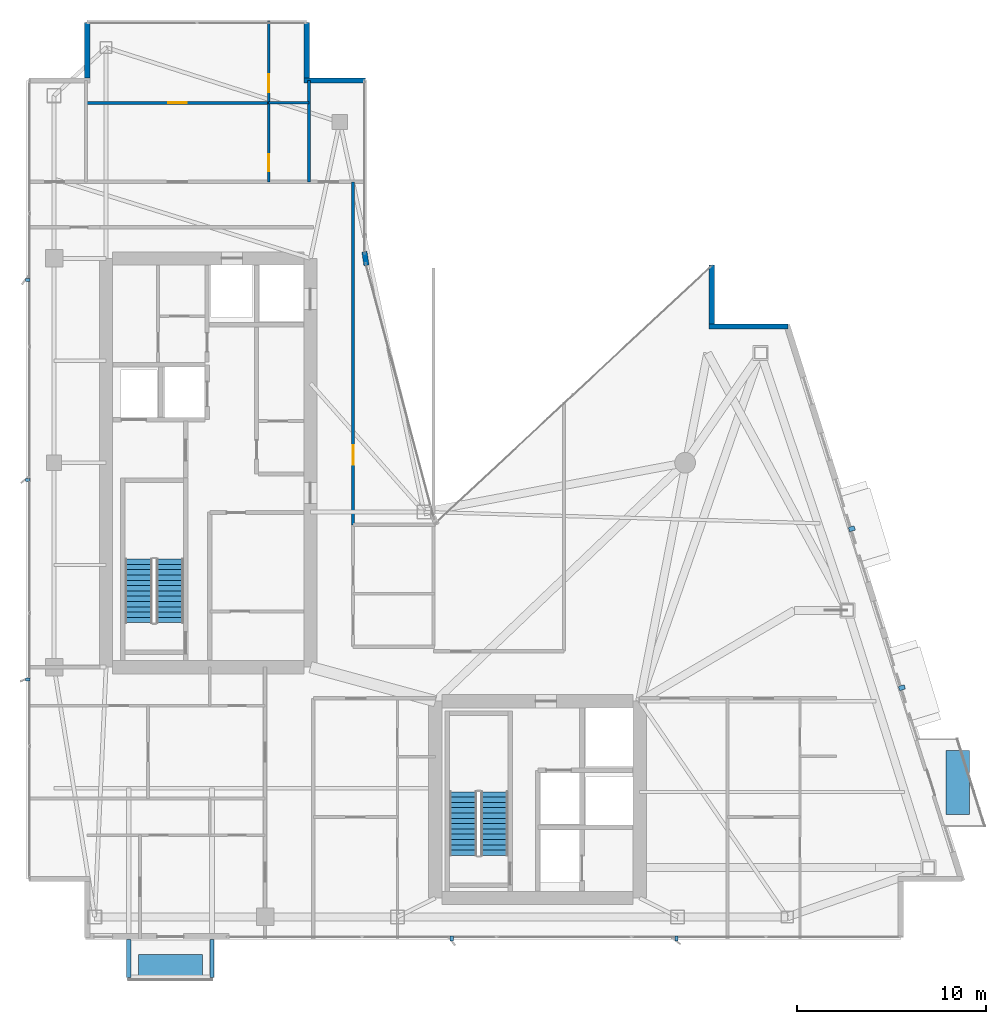
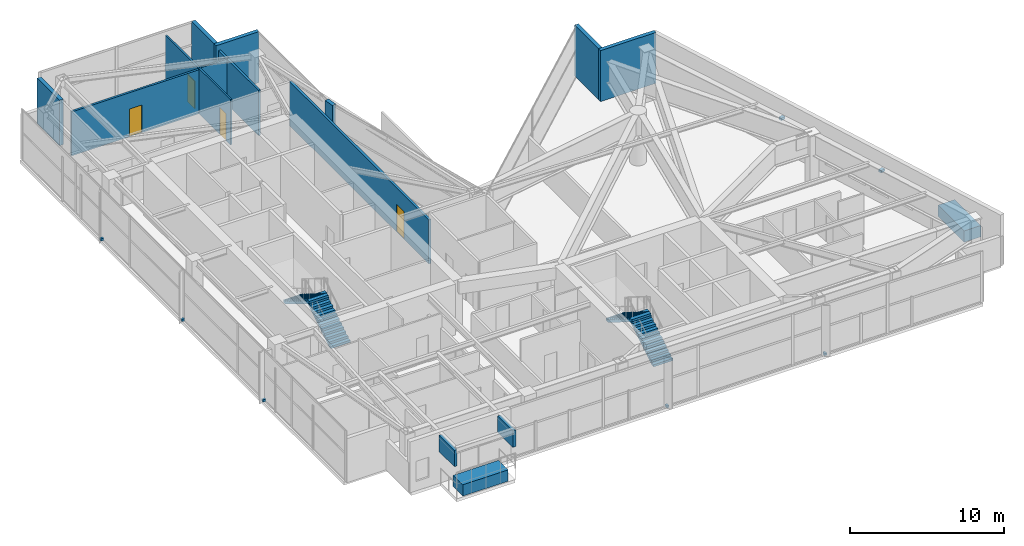
# One storey, part 25 of 27: 11 discrete accessories, 11 walls, 4 doors, 4 stair flights, 4 openings, 2 elements without a shape of their own.
"""IFC4 building model written with IfcOpenShell, lengths in metres."""

import ifcopenshell
import ifcopenshell.guid

model = None  # the IFC model being written
_history = None  # IfcOwnerHistory: only IFC2X3 demands one
_inside = {}  # id of a spatial element -> (the spatial element, [elements in it])
_under = {}  # id of a project, library or spatial element -> (it, [spatial elements below it])
_declared = {}  # id of a project -> (the project, [libraries it declares])
_typed = {}  # id of a type object -> (the type object, [elements of that type])
_made_of = {}  # id of a material, layer set ... -> (it, [elements and type objects made of it])


def new_model(schema):
    """Start an empty IFC model of exactly this schema.

    Asked for "IFC4X3", IfcOpenShell would pick the latest addendum, in which some entities
    have other attributes; the version numbers below select the first issue.
    IFC2X3 requires an IfcOwnerHistory on every rooted entity: one is made here for all.
    """
    global model, _history
    if schema == "IFC4X3":
        model = ifcopenshell.file(schema_version=(4, 3, 0, 0))
    else:
        model = ifcopenshell.file(schema=schema)
    _inside.clear()
    _under.clear()
    _declared.clear()
    _typed.clear()
    _made_of.clear()
    _history = None
    if model.schema == "IFC2X3":
        org = make("IfcOrganization", Name="unknown")
        user = make(
            "IfcPersonAndOrganization",
            ThePerson=make("IfcPerson", FamilyName="unknown"),
            TheOrganization=org,
        )
        app = make(
            "IfcApplication",
            ApplicationDeveloper=org,
            Version="unknown",
            ApplicationFullName="unknown",
            ApplicationIdentifier="unknown",
        )
        _history = make(
            "IfcOwnerHistory",
            OwningUser=user,
            OwningApplication=app,
            ChangeAction="ADDED",
            CreationDate=0,
        )
    return model


def make(cls, **values):
    """One entity of the class cls with the attributes given. An attribute that is None is left unset."""
    return model.create_entity(
        cls, **{name: value for name, value in values.items() if value is not None}
    )


def rooted(cls, **values):
    """An entity with a GlobalId (a new one), such as an element, a storey or a relation."""
    return make(cls, GlobalId=ifcopenshell.guid.new(), OwnerHistory=_history, **values)


def si_unit(unit_type, name, prefix=None):
    """IfcSIUnit, for example si_unit("LENGTHUNIT", "METRE", prefix="MILLI")."""
    return make("IfcSIUnit", UnitType=unit_type, Prefix=prefix, Name=name)


def assignment(units):
    """IfcUnitAssignment: the units of a project."""
    return None if units is None else make("IfcUnitAssignment", Units=units)


def point(xyz):
    """IfcCartesianPoint."""
    return None if xyz is None else make("IfcCartesianPoint", Coordinates=xyz)


def direction(xyz):
    """IfcDirection."""
    return None if xyz is None else make("IfcDirection", DirectionRatios=xyz)


def frame(location, z_axis=None, x_axis=None):
    """IfcAxis2Placement3D, a coordinate frame: its origin and axes. An axis left out is left unset."""
    return make(
        "IfcAxis2Placement3D",
        Location=point(location),
        Axis=direction(z_axis),
        RefDirection=direction(x_axis),
    )


def frame_2d(location, x_axis=None):
    """IfcAxis2Placement2D, a coordinate frame in the plane: its origin and x axis."""
    return make(
        "IfcAxis2Placement2D", Location=point(location), RefDirection=direction(x_axis)
    )


def origin():
    """The frame at (0, 0, 0) with its axes left unset."""
    return frame((0.0, 0.0, 0.0))


def origin_2d():
    """The frame at (0, 0) in the plane with its x axis left unset."""
    return frame_2d((0.0, 0.0))


def place(relative_to, where):
    """IfcLocalPlacement: puts the frame where relative to a parent placement (None: the world)."""
    return make(
        "IfcLocalPlacement", PlacementRelTo=relative_to, RelativePlacement=where
    )


def context(
    kind, dimensions, precision=None, world=None, true_north=None, identifier=None
):
    """IfcGeometricRepresentationContext, for example the 3D "Model" context."""
    return make(
        "IfcGeometricRepresentationContext",
        ContextIdentifier=identifier,
        ContextType=kind,
        CoordinateSpaceDimension=dimensions,
        Precision=precision,
        WorldCoordinateSystem=world,
        TrueNorth=true_north,
    )


def subcontext(parent, identifier, kind, view, scale=None):
    """IfcGeometricRepresentationSubContext, for example "Body" below "Model"."""
    return make(
        "IfcGeometricRepresentationSubContext",
        ContextIdentifier=identifier,
        ContextType=kind,
        ParentContext=parent,
        TargetScale=scale,
        TargetView=view,
    )


def project(units=None, contexts=None):
    """IfcProject with its units and contexts."""
    return rooted(
        "IfcProject",
        Name="project",
        RepresentationContexts=contexts,
        UnitsInContext=assignment(units),
    )


def spatial(cls, under=None, at=None, **own):
    """A site, building, storey or space (cls), placed at a placement, below another one or the project."""
    s = rooted(cls, ObjectPlacement=at, **own)
    if under is not None:
        _under.setdefault(under.id(), (under, []))[1].append(s)
    return s


def polyline(points):
    """IfcPolyline through the points."""
    return make("IfcPolyline", Points=[point(p) for p in points])


def profile(cls, at=None, kind="AREA", **sizes):
    """A parametric profile (cls). Its sizes go by their IFC names, for example OverallWidth=200.0."""
    return make(cls, ProfileType=kind, Position=at, **sizes)


def rectangle(**sizes):
    """IfcRectangleProfileDef."""
    return profile("IfcRectangleProfileDef", **sizes)


def outline(outer, holes=None, kind="AREA"):
    """IfcArbitraryClosedProfileDef: a profile drawn as a closed curve; with holes, ...WithVoids."""
    if holes is None:
        return make("IfcArbitraryClosedProfileDef", ProfileType=kind, OuterCurve=outer)
    return make(
        "IfcArbitraryProfileDefWithVoids",
        ProfileType=kind,
        OuterCurve=outer,
        InnerCurves=holes,
    )


def extrude(swept, where, along, depth):
    """IfcExtrudedAreaSolid: the profile swept, set in the frame where, extruded along a direction by depth."""
    return make(
        "IfcExtrudedAreaSolid",
        SweptArea=swept,
        Position=where,
        ExtrudedDirection=direction(along),
        Depth=depth,
    )


def shape(context_of_items, identifier, shape_type, items):
    """IfcShapeRepresentation: the items that make up one representation, for example the "Body"."""
    return make(
        "IfcShapeRepresentation",
        ContextOfItems=context_of_items,
        RepresentationIdentifier=identifier,
        RepresentationType=shape_type,
        Items=items,
    )


def material(Name=None, Category=None):
    """IfcMaterial."""
    return make("IfcMaterial", Name=Name, Category=Category)


def layer(
    of_material, thickness, ventilated=None, Name=None, Category=None, Priority=None
):
    """IfcMaterialLayer: one layer of a wall or slab, of a material (None: an air gap)."""
    return make(
        "IfcMaterialLayer",
        Material=of_material,
        LayerThickness=thickness,
        IsVentilated=ventilated,
        Name=Name,
        Category=Category,
        Priority=Priority,
    )


def layer_set(layers, Name=None):
    """IfcMaterialLayerSet."""
    return make("IfcMaterialLayerSet", MaterialLayers=layers, LayerSetName=Name)


def made_of(thing, what):
    """Note that an element or type object is made of a material, layer set ...; save() writes the relation."""
    if what is not None:
        _made_of.setdefault(what.id(), (what, []))[1].append(thing)
    return thing


def type_object(cls, material=None, **own):
    """A type object (cls), such as IfcWallType, which elements share."""
    return made_of(rooted(cls, **own), material)


def element(
    cls,
    number,
    at=None,
    inside=None,
    cuts=None,
    type_object=None,
    material=None,
    context=None,
    identifier="Body",
    shape_type=None,
    held_by="IfcProductDefinitionShape",
    body=None,
    shapes=None,
    **own,
):
    """One element of the class cls, such as IfcWall. Its Tag is "e" and its number.

    at: its placement. inside: the storey or other place that contains it. cuts: it is an
    opening in that element (IfcRelVoidsElement). A single representation is given by context,
    identifier, shape_type and body (its items); several are given by shapes. held_by: the class
    of the entity that holds the representations. save() writes the other relations.
    """
    e = rooted(cls, Tag="e%d" % number, ObjectPlacement=at, **own)
    if body is not None:
        shapes = [shape(context, identifier, shape_type, body)]
    if shapes is not None:
        e.Representation = make(held_by, Representations=shapes)
    if inside is not None:
        _inside.setdefault(inside.id(), (inside, []))[1].append(e)
    if cuts is not None:
        rooted(
            "IfcRelVoidsElement", RelatingBuildingElement=cuts, RelatedOpeningElement=e
        )
    if type_object is not None:
        _typed.setdefault(type_object.id(), (type_object, []))[1].append(e)
    return made_of(e, material)


def fill(opening, filler):
    """IfcRelFillsElement: the door or window that sits in an opening."""
    return rooted(
        "IfcRelFillsElement",
        RelatingOpeningElement=opening,
        RelatedBuildingElement=filler,
    )


def aggregate(whole, parts):
    """IfcRelAggregates: a whole, such as a stair, and the parts it consists of."""
    return rooted("IfcRelAggregates", RelatingObject=whole, RelatedObjects=parts)


def save(model, path):
    """Write the relations noted so far, then the file.

    IfcRelAggregates (storeys below a building ...), IfcRelContainedInSpatialStructure (elements
    in a storey), IfcRelDefinesByType, IfcRelAssociatesMaterial and IfcRelDeclares: one each for
    every whole, place, type object, material and project.
    """
    for whole, parts in _under.values():
        aggregate(whole, parts)
    for where, things in _inside.values():
        rooted(
            "IfcRelContainedInSpatialStructure",
            RelatedElements=things,
            RelatingStructure=where,
        )
    for kind, things in _typed.values():
        rooted("IfcRelDefinesByType", RelatedObjects=things, RelatingType=kind)
    for what, things in _made_of.values():
        rooted("IfcRelAssociatesMaterial", RelatedObjects=things, RelatingMaterial=what)
    for by, libraries in _declared.values():
        rooted("IfcRelDeclares", RelatingContext=by, RelatedDefinitions=libraries)
    model.write(path)


model = new_model("IFC4")

# Units and contexts
model_context = context("Model", 3, precision=1e-05, world=origin(), true_north=direction((0.0, 1.0)))
body_context = subcontext(model_context, "Body", "Model", "MODEL_VIEW")
ifc_project = project(units=[si_unit("LENGTHUNIT", "METRE"), si_unit("AREAUNIT", "SQUARE_METRE"), si_unit("VOLUMEUNIT", "CUBIC_METRE"), si_unit("PLANEANGLEUNIT", "RADIAN"), si_unit("MASSUNIT", "GRAM", prefix="KILO")], contexts=[model_context])

# Site, building, storey
site_placement = place(None, origin())
site = spatial("IfcSite", under=ifc_project, at=site_placement, CompositionType="ELEMENT")
building_placement = place(site_placement, origin())
building = spatial("IfcBuilding", under=site, at=building_placement, Name="Calvorn Quay Hotel", CompositionType="ELEMENT")
storey_placement = place(building_placement, frame((0.0, 0.0, 239.300048828125)))
storey = spatial("IfcBuildingStorey", under=building, at=storey_placement, Name="L59", CompositionType="ELEMENT", Elevation=239.300048828125)

# Wall, opening, door
ifc_material_1 = material(Name="Acoustic Fireboard Steel-Stud Partition", Category="steel")
ifc_layer_1 = layer(ifc_material_1, 0.179931640625)
ifc_layer_set_1 = layer_set([ifc_layer_1], Name="WL-CORR-FIRE-180")
wall_type_1 = type_object("IfcWallType", Name="WL-CORR-FIRE-180", PredefinedType="PARTITIONING", material=ifc_layer_set_1)
wall_1_placement = place(storey_placement, frame((17.25, 24.300048828125, 0.0), z_axis=(0.0, 0.0, 1.0), x_axis=(0.0, 1.0, 0.0)))
wall_1 = element("IfcWall", 1, at=wall_1_placement, inside=storey, type_object=wall_type_1, Name="Partition Wall L59-WL-NW-CLOSURE-E", PredefinedType="PARTITIONING", context=body_context, shape_type="SweptSolid", body=[
    extrude(rectangle(XDim=18.14990234375, YDim=0.179931640625, at=frame_2d((9.074951171875, 0.0))), origin(), (0.0, 0.0, 1.0), 3.5),
])
opening_1_placement = place(wall_1_placement, frame((3.199951171875, 0.0, 0.0)))
opening_1 = element("IfcOpeningElement", 2, at=opening_1_placement, cuts=wall_1, Name="Opening D-L59-NCU", PredefinedType="OPENING", context=body_context, shape_type="SweptSolid", body=[
    extrude(rectangle(XDim=1.02001953125, YDim=2.199951171875, at=frame_2d((0.510009765625, 1.10009765625))), frame((0.0, 0.099853515625, 0.0), z_axis=(0.0, -1.0, 0.0), x_axis=(1.0, 0.0, 0.0)), (0.0, 0.0, 1.0), 0.199951171875),
])
ifc_material_2 = material(Name="Solid-Core Walnut Veneer Hotel Fire Door")
door_type_1 = type_object("IfcDoorType", Name="DR-GUEST-ENTRY-1020", OperationType="NOTDEFINED", PredefinedType="DOOR", material=ifc_material_2)
door_1_placement = place(opening_1_placement, origin())
door_1 = element("IfcDoor", 3, at=door_1_placement, inside=storey, type_object=door_type_1, Name="Inner Court Horizon Study Door (L59)", OperationType="SINGLE_SWING_RIGHT", OverallHeight=2.199951171875, OverallWidth=1.02001953125, PredefinedType="DOOR", context=body_context, shape_type="SweptSolid", body=[
    extrude(rectangle(XDim=1.02001953125, YDim=2.199951171875, at=frame_2d((0.510009765625, 1.10009765625))), frame((0.0, 0.02490234375, 0.0), z_axis=(0.0, -1.0, 0.0), x_axis=(1.0, 0.0, 0.0)), (0.0, 0.0, 1.0), 0.050048828125),
])
fill(opening_1, door_1)

# Wall
ifc_material_3 = material(Name="Moisture-Resistant Tile-Backed Partition")
ifc_layer_2 = layer(ifc_material_3, 0.125)
ifc_layer_set_2 = layer_set([ifc_layer_2], Name="WL-ENSUITE-125")
wall_type_2 = type_object("IfcWallType", Name="WL-ENSUITE-125", PredefinedType="PARTITIONING", material=ifc_layer_set_2)
wall_2_placement = place(storey_placement, frame((12.7900390625, 46.6201171875, 0.0), z_axis=(0.0, 0.0, 1.0), x_axis=(1.0, 0.0, 0.0)))
element("IfcWall", 4, at=wall_2_placement, inside=storey, type_object=wall_type_2, Name="Partition Wall L59-WL-U04-BDV", PredefinedType="PARTITIONING", context=body_context, shape_type="SweptSolid", body=[
    extrude(rectangle(XDim=2.1298828125, YDim=0.125, at=frame_2d((1.06494140625, 0.0))), origin(), (0.0, 0.0, 1.0), 3.599853515625),
])

# Wall, openings, doors
wall_3_placement = place(storey_placement, frame((12.7900390625, 42.449951171875, 0.0), z_axis=(0.0, 0.0, 1.0), x_axis=(0.0, 1.0, 0.0)))
wall_3 = element("IfcWall", 5, at=wall_3_placement, inside=storey, type_object=wall_type_2, Name="Partition Wall L59-WL-U04-BV", PredefinedType="PARTITIONING", context=body_context, shape_type="SweptSolid", body=[
    extrude(rectangle(XDim=8.489990234375, YDim=0.125, at=frame_2d((4.2451171875, 0.0))), origin(), (0.0, 0.0, 1.0), 3.599853515625),
])
opening_2_placement = place(wall_3_placement, frame((0.550048828125, 0.0, 0.0)))
opening_2 = element("IfcOpeningElement", 6, at=opening_2_placement, cuts=wall_3, Name="Opening D-L59-E04", PredefinedType="OPENING", context=body_context, shape_type="SweptSolid", body=[
    extrude(rectangle(XDim=0.89990234375, YDim=2.14990234375, at=frame_2d((0.449951171875, 1.074951171875))), frame((0.0, 0.072509765625, 0.0), z_axis=(0.0, -1.0, 0.0), x_axis=(1.0, 0.0, 0.0)), (0.0, 0.0, 1.0), 0.14501953125),
])
opening_3_placement = place(wall_3_placement, frame((4.719970703125, 0.0, 0.0)))
opening_3 = element("IfcOpeningElement", 7, at=opening_3_placement, cuts=wall_3, Name="Opening D-L59-S04", PredefinedType="OPENING", context=body_context, shape_type="SweptSolid", body=[
    extrude(rectangle(XDim=0.9599609375, YDim=2.199951171875, at=frame_2d((0.47998046875, 1.10009765625))), frame((0.0, 0.072509765625, 0.0), z_axis=(0.0, -1.0, 0.0), x_axis=(1.0, 0.0, 0.0)), (0.0, 0.0, 1.0), 0.14501953125),
])
ifc_material_4 = material(Name="Moisture-Sealed Timber En-Suite Door", Category="wood")
door_type_2 = type_object("IfcDoorType", Name="DR-ENSUITE-900", OperationType="NOTDEFINED", PredefinedType="DOOR", material=ifc_material_4)
door_2_placement = place(opening_2_placement, origin())
door_2 = element("IfcDoor", 8, at=door_2_placement, inside=storey, type_object=door_type_2, Name="En-Suite Door 04", OperationType="SINGLE_SWING_LEFT", OverallHeight=2.14990234375, OverallWidth=0.89990234375, PredefinedType="DOOR", context=body_context, shape_type="SweptSolid", body=[
    extrude(rectangle(XDim=0.89990234375, YDim=2.14990234375, at=frame_2d((0.449951171875, 1.074951171875))), frame((0.0, 0.02490234375, 0.0), z_axis=(0.0, -1.0, 0.0), x_axis=(1.0, 0.0, 0.0)), (0.0, 0.0, 1.0), 0.050048828125),
])
fill(opening_2, door_2)
ifc_material_5 = material(Name="Solid Timber Internal Suite Door", Category="wood")
door_type_3 = type_object("IfcDoorType", Name="DR-SUITE-INT-960", OperationType="NOTDEFINED", PredefinedType="DOOR", material=ifc_material_5)
door_3_placement = place(opening_3_placement, origin())
door_3 = element("IfcDoor", 9, at=door_3_placement, inside=storey, type_object=door_type_3, Name="Botanical Winter Garden Door 04", OperationType="SINGLE_SWING_RIGHT", OverallHeight=2.199951171875, OverallWidth=0.9599609375, PredefinedType="DOOR", context=body_context, shape_type="SweptSolid", body=[
    extrude(rectangle(XDim=0.9599609375, YDim=2.199951171875, at=frame_2d((0.47998046875, 1.10009765625))), frame((0.0, 0.02490234375, 0.0), z_axis=(0.0, -1.0, 0.0), x_axis=(1.0, 0.0, 0.0)), (0.0, 0.0, 1.0), 0.050048828125),
])
fill(opening_3, door_3)

# Walls
ifc_material_6 = material(Name="Concrete C40", Category="concrete")
ifc_layer_3 = layer(ifc_material_6, 0.320068359375)
ifc_layer_set_3 = layer_set([ifc_layer_3], Name="WL-EXT-SPANDREL-320")
wall_type_3 = type_object("IfcWallType", Name="WL-EXT-SPANDREL-320", PredefinedType="SOLIDWALL", material=ifc_layer_set_3)
wall_4_placement = place(storey_placement, frame((17.9619140625, 38.030029296875, 0.0), z_axis=(0.0, 0.0, 1.0), x_axis=(-0.15141125477, 0.988470855377, 0.0)))
element("IfcWall", 10, at=wall_4_placement, inside=storey, type_object=wall_type_3, Name="Inner Court Corner Pier L59-ICJ2", PredefinedType="SOLIDWALL", context=body_context, shape_type="SweptSolid", body=[
    extrude(rectangle(XDim=0.738525390625, YDim=0.280029296875, at=frame_2d((0.369140625, 0.0))), origin(), (0.0, 0.0, 1.0), 4.050048828125),
])
wall_5_placement = place(storey_placement, frame((40.239990234375, 34.800048828125, 0.0), z_axis=(0.0, 0.0, 1.0), x_axis=(-1.0, 0.0, 0.0)))
element("IfcWall", 11, at=wall_5_placement, inside=storey, type_object=wall_type_3, Name="Notched Corner Spandrel L59-NE1", PredefinedType="SOLIDWALL", context=body_context, shape_type="SweptSolid", body=[
    extrude(rectangle(XDim=4.179931640625, YDim=0.280029296875, at=frame_2d((2.08984375, 0.0))), origin(), (0.0, 0.0, 1.0), 4.050048828125),
])
wall_6_placement = place(storey_placement, frame((36.199951171875, 34.93994140625, 0.0), z_axis=(0.0, 0.0, 1.0), x_axis=(0.0, 1.0, 0.0)))
element("IfcWall", 12, at=wall_6_placement, inside=storey, type_object=wall_type_3, Name="Notched Corner Spandrel L59-NE2", PredefinedType="SOLIDWALL", context=body_context, shape_type="SweptSolid", body=[
    extrude(rectangle(XDim=3.10009765625, YDim=0.280029296875, at=frame_2d((1.550048828125, 0.0))), origin(), (0.0, 0.0, 1.0), 4.050048828125),
])
wall_7_placement = place(storey_placement, frame((17.89990234375, 47.800048828125, 0.0), z_axis=(0.0, 0.0, 1.0), x_axis=(-1.0, 0.0, 0.0)))
element("IfcWall", 13, at=wall_7_placement, inside=storey, type_object=wall_type_3, Name="Notched Corner Spandrel L59-NWE1", PredefinedType="SOLIDWALL", context=body_context, shape_type="SweptSolid", body=[
    extrude(rectangle(XDim=3.239990234375, YDim=0.280029296875, at=frame_2d((1.6201171875, 0.0))), origin(), (0.0, 0.0, 1.0), 4.050048828125),
])
wall_8_placement = place(storey_placement, frame((14.800048828125, 47.93994140625, 0.0), z_axis=(0.0, 0.0, 1.0), x_axis=(0.0, 1.0, 0.0)))
element("IfcWall", 14, at=wall_8_placement, inside=storey, type_object=wall_type_3, Name="Notched Corner Spandrel L59-NWE2", PredefinedType="SOLIDWALL", context=body_context, shape_type="SweptSolid", body=[
    extrude(rectangle(XDim=2.93994140625, YDim=0.280029296875, at=frame_2d((1.469970703125, 0.0))), origin(), (0.0, 0.0, 1.0), 4.050048828125),
])
wall_9_placement = place(storey_placement, frame((3.199951171875, 50.8798828125, 0.0), z_axis=(0.0, 0.0, 1.0), x_axis=(0.0, -1.0, 0.0)))
element("IfcWall", 15, at=wall_9_placement, inside=storey, type_object=wall_type_3, Name="Notched Corner Spandrel L59-NW1", PredefinedType="SOLIDWALL", context=body_context, shape_type="SweptSolid", body=[
    extrude(rectangle(XDim=2.93994140625, YDim=0.280029296875, at=frame_2d((1.469970703125, 0.0))), origin(), (0.0, 0.0, 1.0), 3.599853515625),
])
ifc_material_7 = material(Name="Double-Stud Acoustic Gypsum Partition")
ifc_layer_4 = layer(ifc_material_7, 0.159912109375)
ifc_layer_set_4 = layer_set([ifc_layer_4], Name="WL-INTERSUITE-160")
wall_type_4 = type_object("IfcWallType", Name="WL-INTERSUITE-160", PredefinedType="PARTITIONING", material=ifc_layer_set_4)
wall_10_placement = place(storey_placement, frame((14.919921875, 42.449951171875, 0.0), z_axis=(0.0, 0.0, 1.0), x_axis=(0.0, 1.0, 0.0)))
element("IfcWall", 16, at=wall_10_placement, inside=storey, type_object=wall_type_4, Name="Partition Wall L59-WL-NW-DIV-E0", PredefinedType="PARTITIONING", context=body_context, shape_type="SweptSolid", body=[
    extrude(rectangle(XDim=5.35009765625, YDim=0.159912109375, at=frame_2d((2.675048828125, 0.0))), origin(), (0.0, 0.0, 1.0), 3.599853515625),
])

# Wall, opening, door
wall_11_placement = place(storey_placement, frame((3.14990234375, 46.6201171875, 0.0), z_axis=(0.0, 0.0, 1.0), x_axis=(1.0, 0.0, 0.0)))
wall_11 = element("IfcWall", 17, at=wall_11_placement, inside=storey, type_object=wall_type_4, Name="Partition Wall L59-WL-U04-MSP", PredefinedType="PARTITIONING", context=body_context, shape_type="SweptSolid", body=[
    extrude(rectangle(XDim=9.64013671875, YDim=0.159912109375, at=frame_2d((4.820068359375, 0.0))), origin(), (0.0, 0.0, 1.0), 3.5),
])
opening_4_placement = place(wall_11_placement, frame((4.340087890625, 0.0, 0.0)))
opening_4 = element("IfcOpeningElement", 18, at=opening_4_placement, cuts=wall_11, Name="Opening D-L59-M04", PredefinedType="OPENING", context=body_context, shape_type="SweptSolid", body=[
    extrude(rectangle(XDim=0.9599609375, YDim=2.199951171875, at=frame_2d((0.47998046875, 1.10009765625))), frame((0.0, 0.08984375, 0.0), z_axis=(0.0, -1.0, 0.0), x_axis=(1.0, 0.0, 0.0)), (0.0, 0.0, 1.0), 0.179931640625),
])
door_4_placement = place(opening_4_placement, origin())
door_4 = element("IfcDoor", 19, at=door_4_placement, inside=storey, type_object=door_type_3, Name="Suite Bedroom Door 04", OperationType="SINGLE_SWING_LEFT", OverallHeight=2.199951171875, OverallWidth=0.9599609375, PredefinedType="DOOR", context=body_context, shape_type="SweptSolid", body=[
    extrude(rectangle(XDim=0.9599609375, YDim=2.199951171875, at=frame_2d((0.47998046875, 1.10009765625))), frame((0.0, 0.02490234375, 0.0), z_axis=(0.0, -1.0, 0.0), x_axis=(1.0, 0.0, 0.0)), (0.0, 0.0, 1.0), 0.050048828125),
])
fill(opening_4, door_4)

# Stair, stair flights
ifc_material_8 = material(Name="Concrete C40", Category="concrete")
stair_type = type_object("IfcStairType", Name="STR-CORE-DOGLEG", PredefinedType="HALF_TURN_STAIR", material=ifc_material_8)
stair_1_placement = place(storey_placement, origin())
stair_1 = element("IfcStair", 20, at=stair_1_placement, inside=storey, type_object=stair_type, Name="L59 ST-W", PredefinedType="HALF_TURN_STAIR")
ifc_material_9 = material(Name="Concrete C40", Category="concrete")
stair_flight_type = type_object("IfcStairFlightType", Name="FLT-CORE-1550", PredefinedType="STRAIGHT", material=ifc_material_9)
stair_flight_1_placement = place(storey_placement, frame((7.574951171875, 19.14990234375, 0.0), z_axis=(0.0, 0.0, 1.0), x_axis=(0.0, 1.0, 0.0)))
stair_flight_1 = element("IfcStairFlight", 21, at=stair_flight_1_placement, type_object=stair_flight_type, Name="ST-W flight 1", NumberOfRisers=13, NumberOfTreads=12, PredefinedType="STRAIGHT", RiserHeight=0.173076923, TreadLength=0.28, context=body_context, shape_type="SweptSolid", body=[
    extrude(outline(polyline([(0.0, 0.0), (0.0, 0.173095703125), (0.280029296875, 0.173095703125), (0.280029296875, 0.34619140625), (0.56005859375, 0.34619140625), (0.56005859375, 0.519287109375), (0.840087890625, 0.519287109375), (0.840087890625, 0.6923828125), (1.1201171875, 0.6923828125), (1.1201171875, 0.865478515625), (1.39990234375, 0.865478515625), (1.39990234375, 1.03857421875), (1.679931640625, 1.03857421875), (1.679931640625, 1.21142578125), (1.9599609375, 1.21142578125), (1.9599609375, 1.384521484375), (2.239990234375, 1.384521484375), (2.239990234375, 1.5576171875), (2.52001953125, 1.5576171875), (2.52001953125, 1.730712890625), (2.800048828125, 1.730712890625), (2.800048828125, 1.90380859375), (3.080078125, 1.90380859375), (3.080078125, 2.076904296875), (3.360107421875, 2.076904296875), (3.360107421875, 2.25), (3.360107421875, 1.900634765625), (0.28515625, 0.0), (0.0, 0.0)])), frame((0.0, 0.72509765625, 0.0), z_axis=(0.0, -1.0, 0.0), x_axis=(1.0, 0.0, 0.0)), (0.0, 0.0, 1.0), 1.449951171875),
])
stair_flight_2_placement = place(storey_placement, frame((5.925048828125, 22.510009765625, 2.25), z_axis=(0.0, 0.0, 1.0), x_axis=(0.0, -1.0, 0.0)))
stair_flight_2 = element("IfcStairFlight", 22, at=stair_flight_2_placement, type_object=stair_flight_type, Name="ST-W flight 2", NumberOfRisers=13, NumberOfTreads=12, PredefinedType="STRAIGHT", RiserHeight=0.173076923, TreadLength=0.28, context=body_context, shape_type="SweptSolid", body=[
    extrude(outline(polyline([(0.0, 0.0), (0.0, 0.173095703125), (0.280029296875, 0.173095703125), (0.280029296875, 0.34619140625), (0.56005859375, 0.34619140625), (0.56005859375, 0.519287109375), (0.840087890625, 0.519287109375), (0.840087890625, 0.6923828125), (1.1201171875, 0.6923828125), (1.1201171875, 0.865478515625), (1.39990234375, 0.865478515625), (1.39990234375, 1.03857421875), (1.679931640625, 1.03857421875), (1.679931640625, 1.21142578125), (1.9599609375, 1.21142578125), (1.9599609375, 1.384521484375), (2.239990234375, 1.384521484375), (2.239990234375, 1.5576171875), (2.52001953125, 1.5576171875), (2.52001953125, 1.730712890625), (2.800048828125, 1.730712890625), (2.800048828125, 1.90380859375), (3.080078125, 1.90380859375), (3.080078125, 2.076904296875), (3.360107421875, 2.076904296875), (3.360107421875, 2.25), (3.360107421875, 1.900634765625), (0.28515625, 0.0), (0.0, 0.0)])), frame((0.0, 0.72509765625, 0.0), z_axis=(0.0, -1.0, 0.0), x_axis=(1.0, 0.0, 0.0)), (0.0, 0.0, 1.0), 1.449951171875),
])
aggregate(stair_1, [stair_flight_1, stair_flight_2])

stair_2_placement = place(storey_placement, origin())
stair_2 = element("IfcStair", 23, at=stair_2_placement, inside=storey, type_object=stair_type, Name="L59 ST-E", PredefinedType="HALF_TURN_STAIR")
stair_flight_3_placement = place(storey_placement, frame((24.72509765625, 6.85009765625, 0.0), z_axis=(0.0, 0.0, 1.0), x_axis=(0.0, 1.0, 0.0)))
stair_flight_3 = element("IfcStairFlight", 24, at=stair_flight_3_placement, type_object=stair_flight_type, Name="ST-E flight 1", NumberOfRisers=13, NumberOfTreads=12, PredefinedType="STRAIGHT", RiserHeight=0.173076923, TreadLength=0.28, context=body_context, shape_type="SweptSolid", body=[
    extrude(outline(polyline([(0.0, 0.0), (0.0, 0.173095703125), (0.280029296875, 0.173095703125), (0.280029296875, 0.34619140625), (0.56005859375, 0.34619140625), (0.56005859375, 0.519287109375), (0.840087890625, 0.519287109375), (0.840087890625, 0.6923828125), (1.1201171875, 0.6923828125), (1.1201171875, 0.865478515625), (1.39990234375, 0.865478515625), (1.39990234375, 1.03857421875), (1.679931640625, 1.03857421875), (1.679931640625, 1.21142578125), (1.9599609375, 1.21142578125), (1.9599609375, 1.384521484375), (2.239990234375, 1.384521484375), (2.239990234375, 1.5576171875), (2.52001953125, 1.5576171875), (2.52001953125, 1.730712890625), (2.800048828125, 1.730712890625), (2.800048828125, 1.90380859375), (3.080078125, 1.90380859375), (3.080078125, 2.076904296875), (3.360107421875, 2.076904296875), (3.360107421875, 2.25), (3.360107421875, 1.900634765625), (0.28515625, 0.0), (0.0, 0.0)])), frame((0.0, 0.72509765625, 0.0), z_axis=(0.0, -1.0, 0.0), x_axis=(1.0, 0.0, 0.0)), (0.0, 0.0, 1.0), 1.449951171875),
])
stair_flight_4_placement = place(storey_placement, frame((23.074951171875, 10.2099609375, 2.25), z_axis=(0.0, 0.0, 1.0), x_axis=(0.0, -1.0, 0.0)))
stair_flight_4 = element("IfcStairFlight", 25, at=stair_flight_4_placement, type_object=stair_flight_type, Name="ST-E flight 2", NumberOfRisers=13, NumberOfTreads=12, PredefinedType="STRAIGHT", RiserHeight=0.173076923, TreadLength=0.28, context=body_context, shape_type="SweptSolid", body=[
    extrude(outline(polyline([(0.0, 0.0), (0.0, 0.173095703125), (0.280029296875, 0.173095703125), (0.280029296875, 0.34619140625), (0.56005859375, 0.34619140625), (0.56005859375, 0.519287109375), (0.840087890625, 0.519287109375), (0.840087890625, 0.6923828125), (1.1201171875, 0.6923828125), (1.1201171875, 0.865478515625), (1.39990234375, 0.865478515625), (1.39990234375, 1.03857421875), (1.679931640625, 1.03857421875), (1.679931640625, 1.21142578125), (1.9599609375, 1.21142578125), (1.9599609375, 1.384521484375), (2.239990234375, 1.384521484375), (2.239990234375, 1.5576171875), (2.52001953125, 1.5576171875), (2.52001953125, 1.730712890625), (2.800048828125, 1.730712890625), (2.800048828125, 1.90380859375), (3.080078125, 1.90380859375), (3.080078125, 2.076904296875), (3.360107421875, 2.076904296875), (3.360107421875, 2.25), (3.360107421875, 1.900634765625), (0.28515625, 0.0), (0.0, 0.0)])), frame((0.0, 0.72509765625, 0.0), z_axis=(0.0, -1.0, 0.0), x_axis=(1.0, 0.0, 0.0)), (0.0, 0.0, 1.0), 1.449951171875),
])
aggregate(stair_2, [stair_flight_3, stair_flight_4])

# Discrete accessories
ifc_material_10 = material(Name="Steel Q355B", Category="steel")
discrete_accessory_type_1 = type_object("IfcDiscreteAccessoryType", Name="ACC-BALC-STRUT", PredefinedType="BRACKET", material=ifc_material_10)
for number, where, z_axis, x_axis, name in (
    (26, (5.39990234375, 1.405029296875, 2.52490234375), (0.0, 0.0, 1.0), (1.0, 0.0, 0.0), "Exterior Balcony Steel Bracket L60-BALC-S-A"),
    (27, (9.800048828125, 1.405029296875, 2.52490234375), (0.0, 0.0, 1.0), (1.0, 0.0, 0.0), "Exterior Balcony Steel Bracket L60-BALC-S-B"),
):
    element("IfcDiscreteAccessory", number, at=place(storey_placement, frame(where, z_axis=z_axis, x_axis=x_axis)), inside=storey, type_object=discrete_accessory_type_1, Name=name, PredefinedType="BRACKET", context=body_context, shape_type="SweptSolid", body=[
        extrude(rectangle(XDim=0.219970703125, YDim=1.989990234375, at=origin_2d()), origin(), (0.0, 0.0, 1.0), 1.300048828125),
    ])
ifc_material_11 = material(Name="Steel Q355B", Category="steel")
discrete_accessory_type_2 = type_object("IfcDiscreteAccessoryType", Name="ACC-FIN-BRACKET", PredefinedType="BRACKET", material=ifc_material_11)
for number, where, z_axis, x_axis, name in (
    (28, (0.06005859375, 16.14990234375, 0.02978515625), (0.0, 0.0, 1.0), (1.0, 0.0, 0.0), "Fin Anchor Bracket L59-W01"),
    (29, (0.06005859375, 26.699951171875, 0.02978515625), (0.0, 0.0, 1.0), (1.0, 0.0, 0.0), "Fin Anchor Bracket L59-W02"),
    (30, (0.06005859375, 37.25, 0.02978515625), (0.0, 0.0, 1.0), (1.0, 0.0, 0.0), "Fin Anchor Bracket L59-W03"),
    (31, (22.467041015625, 2.4599609375, 0.02978515625), (0.0, 0.0, 1.0), (0.0, 1.0, 0.0), "Fin Anchor Bracket L59-S01"),
    (32, (34.3330078125, 2.4599609375, 0.02978515625), (0.0, 0.0, 1.0), (0.0, 1.0, 0.0), "Fin Anchor Bracket L59-S02"),
):
    element("IfcDiscreteAccessory", number, at=place(storey_placement, frame(where, z_axis=z_axis, x_axis=x_axis)), inside=storey, type_object=discrete_accessory_type_2, Name=name, PredefinedType="BRACKET", context=body_context, shape_type="SweptSolid", body=[
        extrude(rectangle(XDim=0.239990234375, YDim=0.159912109375, at=origin_2d()), origin(), (0.0, 0.0, 1.0), 0.179931640625),
    ])
for number, where, z_axis, x_axis, name in (
    (33, (46.256103515625, 15.7119140625, 2.3701171875), (0.0, 0.0, 1.0), (0.957319497532, 0.289031796944, 0.0), "Bay Hood Support Bracket L59-HOOD-2"),
    (34, (43.610107421875, 24.112060546875, 2.3701171875), (0.0, 0.0, 1.0), (0.957319497532, 0.289031796944, 0.0), "Bay Hood Support Bracket L59-HOOD-3"),
):
    element("IfcDiscreteAccessory", number, at=place(storey_placement, frame(where, z_axis=z_axis, x_axis=x_axis)), inside=storey, type_object=discrete_accessory_type_2, Name=name, PredefinedType="BRACKET", context=body_context, shape_type="SweptSolid", body=[
        extrude(rectangle(XDim=0.320068359375, YDim=0.239990234375, at=origin_2d()), origin(), (0.0, 0.0, 1.0), 0.199951171875),
    ])
ifc_material_12 = material(Name="Precast concrete C40", Category="concrete")
discrete_accessory_type_3 = type_object("IfcDiscreteAccessoryType", Name="ACC-TREE-PLANTER", PredefinedType="USERDEFINED", material=ifc_material_12)
discrete_accessory_1_placement = place(storey_placement, frame((49.202880859375, 10.699951171875, 0.0), z_axis=(0.0, 0.0, 1.0), x_axis=(1.0, 0.0, 0.0)))
element("IfcDiscreteAccessory", 35, at=discrete_accessory_1_placement, inside=storey, type_object=discrete_accessory_type_3, Name="Subtropical Tree Structural Planter L59-BALC-E", ObjectType="PLANTER", PredefinedType="USERDEFINED", context=body_context, shape_type="SweptSolid", body=[
    extrude(rectangle(XDim=1.25, YDim=3.39990234375, at=origin_2d()), origin(), (0.0, 0.0, 1.0), 0.89990234375),
])
discrete_accessory_2_placement = place(storey_placement, frame((7.60009765625, 0.989990234375, 0.0), z_axis=(0.0, 0.0, 1.0), x_axis=(1.0, 0.0, 0.0)))
element("IfcDiscreteAccessory", 36, at=discrete_accessory_2_placement, inside=storey, type_object=discrete_accessory_type_3, Name="Subtropical Tree Structural Planter L59-BALC-S", ObjectType="PLANTER", PredefinedType="USERDEFINED", context=body_context, shape_type="SweptSolid", body=[
    extrude(rectangle(XDim=3.39990234375, YDim=1.25, at=origin_2d()), origin(), (0.0, 0.0, 1.0), 0.89990234375),
])

save(model, "model.ifc")
